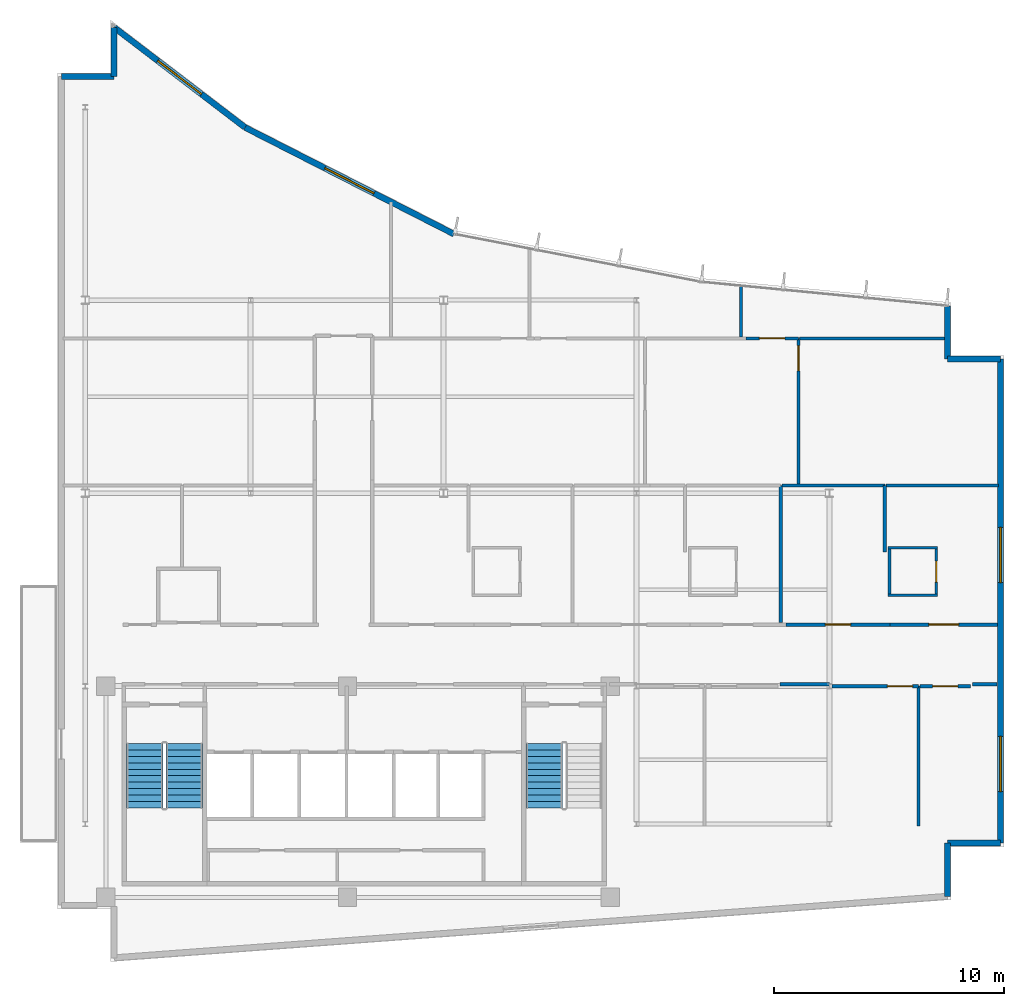
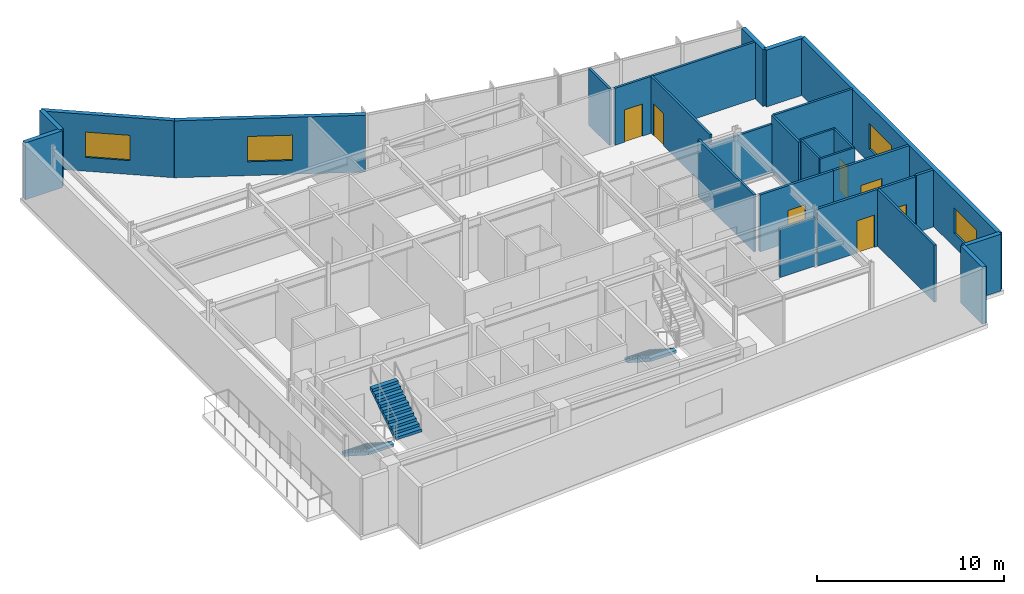
# One storey, part 12 of 16: 28 walls, 7 doors, 4 windows, 3 stair flights, 11 openings, 2 elements without a shape of their own.
"""IFC4 building model written with IfcOpenShell, lengths in metres."""

import ifcopenshell
import ifcopenshell.guid

model = None  # the IFC model being written
_history = None  # IfcOwnerHistory: only IFC2X3 demands one
_inside = {}  # id of a spatial element -> (the spatial element, [elements in it])
_under = {}  # id of a project, library or spatial element -> (it, [spatial elements below it])
_declared = {}  # id of a project -> (the project, [libraries it declares])
_typed = {}  # id of a type object -> (the type object, [elements of that type])
_made_of = {}  # id of a material, layer set ... -> (it, [elements and type objects made of it])


def new_model(schema):
    """Start an empty IFC model of exactly this schema.

    Asked for "IFC4X3", IfcOpenShell would pick the latest addendum, in which some entities
    have other attributes; the version numbers below select the first issue.
    IFC2X3 requires an IfcOwnerHistory on every rooted entity: one is made here for all.
    """
    global model, _history
    if schema == "IFC4X3":
        model = ifcopenshell.file(schema_version=(4, 3, 0, 0))
    else:
        model = ifcopenshell.file(schema=schema)
    _inside.clear()
    _under.clear()
    _declared.clear()
    _typed.clear()
    _made_of.clear()
    _history = None
    if model.schema == "IFC2X3":
        org = make("IfcOrganization", Name="unknown")
        user = make(
            "IfcPersonAndOrganization",
            ThePerson=make("IfcPerson", FamilyName="unknown"),
            TheOrganization=org,
        )
        app = make(
            "IfcApplication",
            ApplicationDeveloper=org,
            Version="unknown",
            ApplicationFullName="unknown",
            ApplicationIdentifier="unknown",
        )
        _history = make(
            "IfcOwnerHistory",
            OwningUser=user,
            OwningApplication=app,
            ChangeAction="ADDED",
            CreationDate=0,
        )
    return model


def make(cls, **values):
    """One entity of the class cls with the attributes given. An attribute that is None is left unset."""
    return model.create_entity(
        cls, **{name: value for name, value in values.items() if value is not None}
    )


def rooted(cls, **values):
    """An entity with a GlobalId (a new one), such as an element, a storey or a relation."""
    return make(cls, GlobalId=ifcopenshell.guid.new(), OwnerHistory=_history, **values)


def si_unit(unit_type, name, prefix=None):
    """IfcSIUnit, for example si_unit("LENGTHUNIT", "METRE", prefix="MILLI")."""
    return make("IfcSIUnit", UnitType=unit_type, Prefix=prefix, Name=name)


def assignment(units):
    """IfcUnitAssignment: the units of a project."""
    return None if units is None else make("IfcUnitAssignment", Units=units)


def point(xyz):
    """IfcCartesianPoint."""
    return None if xyz is None else make("IfcCartesianPoint", Coordinates=xyz)


def direction(xyz):
    """IfcDirection."""
    return None if xyz is None else make("IfcDirection", DirectionRatios=xyz)


def frame(location, z_axis=None, x_axis=None):
    """IfcAxis2Placement3D, a coordinate frame: its origin and axes. An axis left out is left unset."""
    return make(
        "IfcAxis2Placement3D",
        Location=point(location),
        Axis=direction(z_axis),
        RefDirection=direction(x_axis),
    )


def frame_2d(location, x_axis=None):
    """IfcAxis2Placement2D, a coordinate frame in the plane: its origin and x axis."""
    return make(
        "IfcAxis2Placement2D", Location=point(location), RefDirection=direction(x_axis)
    )


def origin():
    """The frame at (0, 0, 0) with its axes left unset."""
    return frame((0.0, 0.0, 0.0))


def place(relative_to, where):
    """IfcLocalPlacement: puts the frame where relative to a parent placement (None: the world)."""
    return make(
        "IfcLocalPlacement", PlacementRelTo=relative_to, RelativePlacement=where
    )


def context(
    kind, dimensions, precision=None, world=None, true_north=None, identifier=None
):
    """IfcGeometricRepresentationContext, for example the 3D "Model" context."""
    return make(
        "IfcGeometricRepresentationContext",
        ContextIdentifier=identifier,
        ContextType=kind,
        CoordinateSpaceDimension=dimensions,
        Precision=precision,
        WorldCoordinateSystem=world,
        TrueNorth=true_north,
    )


def subcontext(parent, identifier, kind, view, scale=None):
    """IfcGeometricRepresentationSubContext, for example "Body" below "Model"."""
    return make(
        "IfcGeometricRepresentationSubContext",
        ContextIdentifier=identifier,
        ContextType=kind,
        ParentContext=parent,
        TargetScale=scale,
        TargetView=view,
    )


def project(units=None, contexts=None):
    """IfcProject with its units and contexts."""
    return rooted(
        "IfcProject",
        Name="project",
        RepresentationContexts=contexts,
        UnitsInContext=assignment(units),
    )


def spatial(cls, under=None, at=None, **own):
    """A site, building, storey or space (cls), placed at a placement, below another one or the project."""
    s = rooted(cls, ObjectPlacement=at, **own)
    if under is not None:
        _under.setdefault(under.id(), (under, []))[1].append(s)
    return s


def polyline(points):
    """IfcPolyline through the points."""
    return make("IfcPolyline", Points=[point(p) for p in points])


def profile(cls, at=None, kind="AREA", **sizes):
    """A parametric profile (cls). Its sizes go by their IFC names, for example OverallWidth=200.0."""
    return make(cls, ProfileType=kind, Position=at, **sizes)


def rectangle(**sizes):
    """IfcRectangleProfileDef."""
    return profile("IfcRectangleProfileDef", **sizes)


def outline(outer, holes=None, kind="AREA"):
    """IfcArbitraryClosedProfileDef: a profile drawn as a closed curve; with holes, ...WithVoids."""
    if holes is None:
        return make("IfcArbitraryClosedProfileDef", ProfileType=kind, OuterCurve=outer)
    return make(
        "IfcArbitraryProfileDefWithVoids",
        ProfileType=kind,
        OuterCurve=outer,
        InnerCurves=holes,
    )


def extrude(swept, where, along, depth):
    """IfcExtrudedAreaSolid: the profile swept, set in the frame where, extruded along a direction by depth."""
    return make(
        "IfcExtrudedAreaSolid",
        SweptArea=swept,
        Position=where,
        ExtrudedDirection=direction(along),
        Depth=depth,
    )


def shape(context_of_items, identifier, shape_type, items):
    """IfcShapeRepresentation: the items that make up one representation, for example the "Body"."""
    return make(
        "IfcShapeRepresentation",
        ContextOfItems=context_of_items,
        RepresentationIdentifier=identifier,
        RepresentationType=shape_type,
        Items=items,
    )


def material(Name=None, Category=None):
    """IfcMaterial."""
    return make("IfcMaterial", Name=Name, Category=Category)


def layer(
    of_material, thickness, ventilated=None, Name=None, Category=None, Priority=None
):
    """IfcMaterialLayer: one layer of a wall or slab, of a material (None: an air gap)."""
    return make(
        "IfcMaterialLayer",
        Material=of_material,
        LayerThickness=thickness,
        IsVentilated=ventilated,
        Name=Name,
        Category=Category,
        Priority=Priority,
    )


def layer_set(layers, Name=None):
    """IfcMaterialLayerSet."""
    return make("IfcMaterialLayerSet", MaterialLayers=layers, LayerSetName=Name)


def made_of(thing, what):
    """Note that an element or type object is made of a material, layer set ...; save() writes the relation."""
    if what is not None:
        _made_of.setdefault(what.id(), (what, []))[1].append(thing)
    return thing


def type_object(cls, material=None, **own):
    """A type object (cls), such as IfcWallType, which elements share."""
    return made_of(rooted(cls, **own), material)


def element(
    cls,
    number,
    at=None,
    inside=None,
    cuts=None,
    type_object=None,
    material=None,
    context=None,
    identifier="Body",
    shape_type=None,
    held_by="IfcProductDefinitionShape",
    body=None,
    shapes=None,
    **own,
):
    """One element of the class cls, such as IfcWall. Its Tag is "e" and its number.

    at: its placement. inside: the storey or other place that contains it. cuts: it is an
    opening in that element (IfcRelVoidsElement). A single representation is given by context,
    identifier, shape_type and body (its items); several are given by shapes. held_by: the class
    of the entity that holds the representations. save() writes the other relations.
    """
    e = rooted(cls, Tag="e%d" % number, ObjectPlacement=at, **own)
    if body is not None:
        shapes = [shape(context, identifier, shape_type, body)]
    if shapes is not None:
        e.Representation = make(held_by, Representations=shapes)
    if inside is not None:
        _inside.setdefault(inside.id(), (inside, []))[1].append(e)
    if cuts is not None:
        rooted(
            "IfcRelVoidsElement", RelatingBuildingElement=cuts, RelatedOpeningElement=e
        )
    if type_object is not None:
        _typed.setdefault(type_object.id(), (type_object, []))[1].append(e)
    return made_of(e, material)


def fill(opening, filler):
    """IfcRelFillsElement: the door or window that sits in an opening."""
    return rooted(
        "IfcRelFillsElement",
        RelatingOpeningElement=opening,
        RelatedBuildingElement=filler,
    )


def aggregate(whole, parts):
    """IfcRelAggregates: a whole, such as a stair, and the parts it consists of."""
    return rooted("IfcRelAggregates", RelatingObject=whole, RelatedObjects=parts)


def save(model, path):
    """Write the relations noted so far, then the file.

    IfcRelAggregates (storeys below a building ...), IfcRelContainedInSpatialStructure (elements
    in a storey), IfcRelDefinesByType, IfcRelAssociatesMaterial and IfcRelDeclares: one each for
    every whole, place, type object, material and project.
    """
    for whole, parts in _under.values():
        aggregate(whole, parts)
    for where, things in _inside.values():
        rooted(
            "IfcRelContainedInSpatialStructure",
            RelatedElements=things,
            RelatingStructure=where,
        )
    for kind, things in _typed.values():
        rooted("IfcRelDefinesByType", RelatedObjects=things, RelatingType=kind)
    for what, things in _made_of.values():
        rooted("IfcRelAssociatesMaterial", RelatedObjects=things, RelatingMaterial=what)
    for by, libraries in _declared.values():
        rooted("IfcRelDeclares", RelatingContext=by, RelatedDefinitions=libraries)
    model.write(path)


model = new_model("IFC4")

# Units and contexts
model_context = context("Model", 3, precision=1e-05, world=origin(), true_north=direction((0.0, 1.0)))
body_context = subcontext(model_context, "Body", "Model", "MODEL_VIEW")
ifc_project = project(units=[si_unit("LENGTHUNIT", "METRE"), si_unit("AREAUNIT", "SQUARE_METRE"), si_unit("VOLUMEUNIT", "CUBIC_METRE"), si_unit("PLANEANGLEUNIT", "RADIAN"), si_unit("MASSUNIT", "GRAM", prefix="KILO")], contexts=[model_context])

# Site, building, storey
site_placement = place(None, origin())
site = spatial("IfcSite", under=ifc_project, at=site_placement, CompositionType="ELEMENT")
building_placement = place(site_placement, origin())
building = spatial("IfcBuilding", under=site, at=building_placement, Name="Varnakote Quay Hospital", CompositionType="ELEMENT")
storey_placement = place(building_placement, frame((0.0, 0.0, 280.25)))
storey = spatial("IfcBuildingStorey", under=building, at=storey_placement, Name="L69", CompositionType="ELEMENT", Elevation=280.25)

# Walls
ifc_material_1 = material(Name="Fire-rated acoustic gypsum stud wall", Category="gypsum")
ifc_layer_1 = layer(ifc_material_1, 0.159912109375)
ifc_layer_set_1 = layer_set([ifc_layer_1], Name="Fire-rated acoustic gypsum stud wall")
wall_type_1 = type_object("IfcWallType", Name="WL-COMP-160", PredefinedType="PARTITIONING", material=ifc_layer_set_1)
wall_1_placement = place(storey_placement, frame((31.439208984375, 12.080078125, 0.0), z_axis=(0.0, 0.0, 1.0), x_axis=(1.0, 0.0, 0.0)))
element("IfcWall", 1, at=wall_1_placement, inside=storey, type_object=wall_type_1, Name="L69 Corridor South Gap Wall", PredefinedType="PARTITIONING", context=body_context, shape_type="SweptSolid", body=[
    extrude(rectangle(XDim=2.174072265625, YDim=0.159912109375, at=frame_2d((1.0869140625, 0.0))), origin(), (0.0, 0.0, 1.0), 3.156982421875),
])
wall_2_placement = place(storey_placement, frame((39.83935546875, 12.080078125, 0.0), z_axis=(0.0, 0.0, 1.0), x_axis=(1.0, 0.0, 0.0)))
element("IfcWall", 2, at=wall_2_placement, inside=storey, type_object=wall_type_1, Name="L69 Corridor South Gap Wall", PredefinedType="PARTITIONING", context=body_context, shape_type="SweptSolid", body=[
    extrude(rectangle(XDim=1.060546875, YDim=0.159912109375, at=frame_2d((0.5302734375, 0.0))), origin(), (0.0, 0.0, 1.0), 3.7099609375),
])
ifc_material_2 = material(Name="Moisture-resistant bathroom partition", Category="gypsum")
ifc_layer_2 = layer(ifc_material_2, 0.114990234375)
ifc_layer_set_2 = layer_set([ifc_layer_2], Name="Moisture-resistant bathroom partition")
wall_type_2 = type_object("IfcWallType", Name="WL-ENS-115", PredefinedType="PARTITIONING", material=ifc_layer_set_2)
for number, where, z_axis, x_axis, name in (
    (3, (36.155029296875, 15.952392578125, 0.0), (0.0, 0.0, 1.0), (1.0, 0.0, 0.0), "L69 Inpatient En-Suite Bathroom 03 S Wall"),
    (4, (36.155029296875, 18.017578125, 0.0), (0.0, 0.0, 1.0), (1.0, 0.0, 0.0), "L69 Inpatient En-Suite Bathroom 03 N Wall"),
):
    element("IfcWall", number, at=place(storey_placement, frame(where, z_axis=z_axis, x_axis=x_axis)), inside=storey, type_object=wall_type_2, Name=name, PredefinedType="PARTITIONING", context=body_context, shape_type="SweptSolid", body=[
        extrude(rectangle(XDim=2.14990234375, YDim=0.114990234375, at=frame_2d((1.074951171875, 0.0))), origin(), (0.0, 0.0, 1.0), 3.7099609375),
    ])
wall_3_placement = place(storey_placement, frame((36.21240234375, 16.010009765625, 0.0), z_axis=(0.0, 0.0, 1.0), x_axis=(0.0, 1.0, 0.0)))
element("IfcWall", 5, at=wall_3_placement, inside=storey, type_object=wall_type_2, Name="L69 Inpatient En-Suite Bathroom 03 W Wall", PredefinedType="PARTITIONING", context=body_context, shape_type="SweptSolid", body=[
    extrude(rectangle(XDim=1.949951171875, YDim=0.114990234375, at=frame_2d((0.97509765625, 0.0))), origin(), (0.0, 0.0, 1.0), 3.7099609375),
])

# Wall, opening, door
wall_4_placement = place(storey_placement, frame((38.24755859375, 16.010009765625, 0.0), z_axis=(0.0, 0.0, 1.0), x_axis=(0.0, 1.0, 0.0)))
wall_4 = element("IfcWall", 6, at=wall_4_placement, inside=storey, type_object=wall_type_2, Name="L69 Inpatient En-Suite Bathroom 03 E Wall", PredefinedType="PARTITIONING", context=body_context, shape_type="SweptSolid", body=[
    extrude(rectangle(XDim=1.949951171875, YDim=0.114990234375, at=frame_2d((0.97509765625, 0.0))), origin(), (0.0, 0.0, 1.0), 3.7099609375),
])
opening_1_placement = place(wall_4_placement, frame((0.514892578125, 0.0, 0.0)))
opening_1 = element("IfcOpeningElement", 7, at=opening_1_placement, cuts=wall_4, Name="Opening D-L69-ENS03", PredefinedType="OPENING", context=body_context, shape_type="SweptSolid", body=[
    extrude(rectangle(XDim=0.919921875, YDim=2.10009765625, at=frame_2d((0.4599609375, 1.050048828125))), frame((0.0, 0.0673828125, 0.0), z_axis=(0.0, -1.0, 0.0), x_axis=(1.0, 0.0, 0.0)), (0.0, 0.0, 1.0), 0.135009765625),
])
ifc_material_3 = material(Name="Moisture-sealed en-suite bathroom door")
door_type_1 = type_object("IfcDoorType", Name="DR-ENS-920x2100", OperationType="NOTDEFINED", PredefinedType="DOOR", material=ifc_material_3)
door_1_placement = place(opening_1_placement, origin())
door_1 = element("IfcDoor", 8, at=door_1_placement, inside=storey, type_object=door_type_1, Name="L69 Inpatient En-Suite Bathroom 03 Door", OperationType="SINGLE_SWING_RIGHT", OverallHeight=2.10009765625, OverallWidth=0.919921875, PredefinedType="DOOR", context=body_context, shape_type="SweptSolid", body=[
    extrude(rectangle(XDim=0.919921875, YDim=2.10009765625, at=frame_2d((0.4599609375, 1.050048828125))), frame((0.0, 0.02490234375, 0.0), z_axis=(0.0, -1.0, 0.0), x_axis=(1.0, 0.0, 0.0)), (0.0, 0.0, 1.0), 0.050048828125),
])
fill(opening_1, door_1)

# Walls
ifc_material_4 = material(Name="Precast concrete N50 (f'c 50 MPa)", Category="concrete")
ifc_layer_3 = layer(ifc_material_4, 0.260009765625)
ifc_layer_set_3 = layer_set([ifc_layer_3], Name="Precast concrete N50 (f'c 50 MPa)")
wall_type_3 = type_object("IfcWallType", Name="WL-EXT-BRICK-260", PredefinedType="STANDARD", material=ifc_layer_set_3)
wall_5_placement = place(storey_placement, frame((38.739990234375, 2.8486328125, 0.0), z_axis=(0.0, 0.0, 1.0), x_axis=(0.0, 1.0, 0.0)))
element("IfcWall", 9, at=wall_5_placement, inside=storey, type_object=wall_type_3, Name="L69 Brick-Faced Precast Exterior Wall", PredefinedType="STANDARD", context=body_context, shape_type="SweptSolid", body=[
    extrude(rectangle(XDim=2.311279296875, YDim=0.260009765625, at=frame_2d((1.15576171875, 0.0))), origin(), (0.0, 0.0, 1.0), 3.7099609375),
])
wall_6_placement = place(storey_placement, frame((38.739990234375, 5.159912109375, 0.0), z_axis=(0.0, 0.0, 1.0), x_axis=(1.0, 0.0, 0.0)))
element("IfcWall", 10, at=wall_6_placement, inside=storey, type_object=wall_type_3, Name="L69 Brick-Faced Precast Exterior Wall", PredefinedType="STANDARD", context=body_context, shape_type="SweptSolid", body=[
    extrude(rectangle(XDim=2.300048828125, YDim=0.260009765625, at=frame_2d((1.14990234375, 0.0))), origin(), (0.0, 0.0, 1.0), 3.7099609375),
])

# Wall, openings, windows
wall_7_placement = place(storey_placement, frame((41.0400390625, 5.159912109375, 0.0), z_axis=(0.0, 0.0, 1.0), x_axis=(0.0, 1.0, 0.0)))
wall_7 = element("IfcWall", 11, at=wall_7_placement, inside=storey, type_object=wall_type_3, Name="L69 Brick-Faced Precast Exterior Wall", PredefinedType="STANDARD", context=body_context, shape_type="SweptSolid", body=[
    extrude(rectangle(XDim=21.080078125, YDim=0.260009765625, at=frame_2d((10.5400390625, 0.0))), origin(), (0.0, 0.0, 1.0), 3.7099609375),
])
opening_2_placement = place(wall_7_placement, frame((2.25, 0.0, 0.89990234375)))
opening_2 = element("IfcOpeningElement", 12, at=opening_2_placement, cuts=wall_7, Name="Opening WN-0279", PredefinedType="OPENING", context=body_context, shape_type="SweptSolid", body=[
    extrude(rectangle(XDim=2.39990234375, YDim=1.64990234375, at=frame_2d((1.199951171875, 0.824951171875))), frame((0.0, 0.139892578125, 0.0), z_axis=(0.0, -1.0, 0.0), x_axis=(1.0, 0.0, 0.0)), (0.0, 0.0, 1.0), 0.280029296875),
])
opening_3_placement = place(wall_7_placement, frame((11.35009765625, 0.0, 0.89990234375)))
opening_3 = element("IfcOpeningElement", 13, at=opening_3_placement, cuts=wall_7, Name="Opening WN-0313", PredefinedType="OPENING", context=body_context, shape_type="SweptSolid", body=[
    extrude(rectangle(XDim=2.39990234375, YDim=1.64990234375, at=frame_2d((1.199951171875, 0.824951171875))), frame((0.0, 0.139892578125, 0.0), z_axis=(0.0, -1.0, 0.0), x_axis=(1.0, 0.0, 0.0)), (0.0, 0.0, 1.0), 0.280029296875),
])
ifc_material_5 = material(Name="Double-glazed low-E solar glass", Category="glass")
window_type = type_object("IfcWindowType", Name="WIN-CLIN-2400x1650", PartitioningType="SINGLE_PANEL", PredefinedType="WINDOW", material=ifc_material_5)
window_1_placement = place(opening_2_placement, origin())
window_1 = element("IfcWindow", 14, at=window_1_placement, inside=storey, type_object=window_type, Name="L69 Solar-Control Clinical Window", OverallHeight=1.64990234375, OverallWidth=2.39990234375, PartitioningType="SINGLE_PANEL", PredefinedType="WINDOW", context=body_context, shape_type="SweptSolid", body=[
    extrude(rectangle(XDim=2.39990234375, YDim=1.64990234375, at=frame_2d((1.199951171875, 0.824951171875))), frame((0.0, 0.030029296875, 0.0), z_axis=(0.0, -1.0, 0.0), x_axis=(1.0, 0.0, 0.0)), (0.0, 0.0, 1.0), 0.06005859375),
])
fill(opening_2, window_1)
window_2_placement = place(opening_3_placement, origin())
window_2 = element("IfcWindow", 15, at=window_2_placement, inside=storey, type_object=window_type, Name="L69 Solar-Control Clinical Window", OverallHeight=1.64990234375, OverallWidth=2.39990234375, PartitioningType="SINGLE_PANEL", PredefinedType="WINDOW", context=body_context, shape_type="SweptSolid", body=[
    extrude(rectangle(XDim=2.39990234375, YDim=1.64990234375, at=frame_2d((1.199951171875, 0.824951171875))), frame((0.0, 0.030029296875, 0.0), z_axis=(0.0, -1.0, 0.0), x_axis=(1.0, 0.0, 0.0)), (0.0, 0.0, 1.0), 0.06005859375),
])
fill(opening_3, window_2)

# Walls
wall_8_placement = place(storey_placement, frame((41.0400390625, 26.239990234375, 0.0), z_axis=(0.0, 0.0, 1.0), x_axis=(-1.0, 0.0, 0.0)))
element("IfcWall", 16, at=wall_8_placement, inside=storey, type_object=wall_type_3, Name="L69 Brick-Faced Precast Exterior Wall", PredefinedType="STANDARD", context=body_context, shape_type="SweptSolid", body=[
    extrude(rectangle(XDim=2.300048828125, YDim=0.260009765625, at=frame_2d((1.14990234375, 0.0))), origin(), (0.0, 0.0, 1.0), 3.7099609375),
])
wall_9_placement = place(storey_placement, frame((38.739990234375, 26.239990234375, 0.0), z_axis=(0.0, 0.0, 1.0), x_axis=(0.0, 1.0, 0.0)))
element("IfcWall", 17, at=wall_9_placement, inside=storey, type_object=wall_type_3, Name="L69 Brick-Faced Precast Exterior Wall", PredefinedType="STANDARD", context=body_context, shape_type="SweptSolid", body=[
    extrude(rectangle(XDim=2.314697265625, YDim=0.260009765625, at=frame_2d((1.1572265625, 0.0))), origin(), (0.0, 0.0, 1.0), 3.7099609375),
])

# Wall, opening, window
wall_10_placement = place(storey_placement, frame((17.25146484375, 31.68115234375, 0.0), z_axis=(0.0, 0.0, 1.0), x_axis=(-0.89069629535, 0.454598844532, 0.0)))
wall_10 = element("IfcWall", 18, at=wall_10_placement, inside=storey, type_object=wall_type_3, Name="L69 Brick-Faced Precast Exterior Wall", PredefinedType="STANDARD", context=body_context, shape_type="SweptSolid", body=[
    extrude(rectangle(XDim=10.213623046875, YDim=0.260009765625, at=frame_2d((5.10693359375, 0.0))), origin(), (0.0, 0.0, 1.0), 3.7099609375),
])
opening_4_placement = place(wall_10_placement, frame((3.90673828125, 0.0, 0.89990234375)))
opening_4 = element("IfcOpeningElement", 19, at=opening_4_placement, cuts=wall_10, Name="Opening WN-0280", PredefinedType="OPENING", context=body_context, shape_type="SweptSolid", body=[
    extrude(rectangle(XDim=2.39990234375, YDim=1.64990234375, at=frame_2d((1.199951171875, 0.824951171875))), frame((0.0, 0.139892578125, 0.0), z_axis=(0.0, -1.0, 0.0), x_axis=(1.0, 0.0, 0.0)), (0.0, 0.0, 1.0), 0.280029296875),
])
window_3_placement = place(opening_4_placement, origin())
window_3 = element("IfcWindow", 20, at=window_3_placement, inside=storey, type_object=window_type, Name="L69 Solar-Control Clinical Window", OverallHeight=1.64990234375, OverallWidth=2.39990234375, PartitioningType="SINGLE_PANEL", PredefinedType="WINDOW", context=body_context, shape_type="SweptSolid", body=[
    extrude(rectangle(XDim=2.39990234375, YDim=1.64990234375, at=frame_2d((1.199951171875, 0.824951171875))), frame((0.0, 0.030029296875, 0.0), z_axis=(0.0, -1.0, 0.0), x_axis=(1.0, 0.0, 0.0)), (0.0, 0.0, 1.0), 0.06005859375),
])
fill(opening_4, window_3)

wall_11_placement = place(storey_placement, frame((8.154296875, 36.32421875, 0.0), z_axis=(0.0, 0.0, 1.0), x_axis=(-0.794522176632, 0.607235136368, 0.0)))
wall_11 = element("IfcWall", 21, at=wall_11_placement, inside=storey, type_object=wall_type_3, Name="L69 Brick-Faced Precast Exterior Wall", PredefinedType="STANDARD", context=body_context, shape_type="SweptSolid", body=[
    extrude(rectangle(XDim=7.1669921875, YDim=0.260009765625, at=frame_2d((3.58349609375, 0.0))), origin(), (0.0, 0.0, 1.0), 3.7099609375),
])
opening_5_placement = place(wall_11_placement, frame((2.383544921875, 0.0, 0.89990234375)))
opening_5 = element("IfcOpeningElement", 22, at=opening_5_placement, cuts=wall_11, Name="Opening WN-0281", PredefinedType="OPENING", context=body_context, shape_type="SweptSolid", body=[
    extrude(rectangle(XDim=2.39990234375, YDim=1.64990234375, at=frame_2d((1.199951171875, 0.824951171875))), frame((0.0, 0.139892578125, 0.0), z_axis=(0.0, -1.0, 0.0), x_axis=(1.0, 0.0, 0.0)), (0.0, 0.0, 1.0), 0.280029296875),
])
window_4_placement = place(opening_5_placement, origin())
window_4 = element("IfcWindow", 23, at=window_4_placement, inside=storey, type_object=window_type, Name="L69 Solar-Control Clinical Window", OverallHeight=1.64990234375, OverallWidth=2.39990234375, PartitioningType="SINGLE_PANEL", PredefinedType="WINDOW", context=body_context, shape_type="SweptSolid", body=[
    extrude(rectangle(XDim=2.39990234375, YDim=1.64990234375, at=frame_2d((1.199951171875, 0.824951171875))), frame((0.0, 0.030029296875, 0.0), z_axis=(0.0, -1.0, 0.0), x_axis=(1.0, 0.0, 0.0)), (0.0, 0.0, 1.0), 0.06005859375),
])
fill(opening_5, window_4)

# Walls
wall_12_placement = place(storey_placement, frame((2.4599609375, 40.67626953125, 0.0), z_axis=(0.0, 0.0, 1.0), x_axis=(0.0, -1.0, 0.0)))
element("IfcWall", 24, at=wall_12_placement, inside=storey, type_object=wall_type_3, Name="L69 Brick-Faced Precast Exterior Wall", PredefinedType="STANDARD", context=body_context, shape_type="SweptSolid", body=[
    extrude(rectangle(XDim=2.13623046875, YDim=0.260009765625, at=frame_2d((1.068115234375, 0.0))), origin(), (0.0, 0.0, 1.0), 3.7099609375),
])
wall_13_placement = place(storey_placement, frame((2.4599609375, 38.5400390625, 0.0), z_axis=(0.0, 0.0, 1.0), x_axis=(-1.0, 0.0, 0.0)))
element("IfcWall", 25, at=wall_13_placement, inside=storey, type_object=wall_type_3, Name="L69 Brick-Faced Precast Exterior Wall", PredefinedType="STANDARD", context=body_context, shape_type="SweptSolid", body=[
    extrude(rectangle(XDim=2.300048828125, YDim=0.260009765625, at=frame_2d((1.14990234375, 0.0))), origin(), (0.0, 0.0, 1.0), 3.7099609375),
])
ifc_material_6 = material(Name="Smoke-proof clinical partition", Category="gypsum")
ifc_layer_4 = layer(ifc_material_6, 0.135009765625)
ifc_layer_set_4 = layer_set([ifc_layer_4], Name="Smoke-proof clinical partition")
wall_type_4 = type_object("IfcWallType", Name="WL-SMOKE-135", PredefinedType="PARTITIONING", material=ifc_layer_set_4)
wall_14_placement = place(storey_placement, frame((37.47998046875, 5.89990234375, 0.0), z_axis=(0.0, 0.0, 1.0), x_axis=(0.0, 1.0, 0.0)))
element("IfcWall", 26, at=wall_14_placement, inside=storey, type_object=wall_type_4, Name="L69 Clinical Interior Partition", PredefinedType="PARTITIONING", context=body_context, shape_type="SweptSolid", body=[
    extrude(rectangle(XDim=6.10009765625, YDim=0.135009765625, at=frame_2d((3.050048828125, 0.0))), origin(), (0.0, 0.0, 1.0), 3.7099609375),
])
wall_15_placement = place(storey_placement, frame((31.47998046875, 14.760009765625, 0.0), z_axis=(0.0, 0.0, 1.0), x_axis=(0.0, 1.0, 0.0)))
element("IfcWall", 27, at=wall_15_placement, inside=storey, type_object=wall_type_4, Name="L69 Clinical Interior Partition", PredefinedType="PARTITIONING", context=body_context, shape_type="SweptSolid", body=[
    extrude(rectangle(XDim=5.97998046875, YDim=0.135009765625, at=frame_2d((2.989990234375, 0.0))), origin(), (0.0, 0.0, 1.0), 3.7099609375),
])
wall_16_placement = place(storey_placement, frame((36.010009765625, 17.83251953125, 0.0), z_axis=(0.0, 0.0, 1.0), x_axis=(0.0, 1.0, 0.0)))
element("IfcWall", 28, at=wall_16_placement, inside=storey, type_object=wall_type_4, Name="L69 Clinical Interior Partition", PredefinedType="PARTITIONING", context=body_context, shape_type="SweptSolid", body=[
    extrude(rectangle(XDim=2.907470703125, YDim=0.135009765625, at=frame_2d((1.45361328125, 0.0))), origin(), (0.0, 0.0, 1.0), 3.7099609375),
])
wall_17_placement = place(storey_placement, frame((36.010009765625, 20.739990234375, 0.0), z_axis=(0.0, 0.0, 1.0), x_axis=(-1.0, 0.0, 0.0)))
element("IfcWall", 29, at=wall_17_placement, inside=storey, type_object=wall_type_4, Name="L69 Clinical Interior Partition", PredefinedType="PARTITIONING", context=body_context, shape_type="SweptSolid", body=[
    extrude(rectangle(XDim=4.472412109375, YDim=0.135009765625, at=frame_2d((2.236328125, 0.0))), origin(), (0.0, 0.0, 1.0), 3.156982421875),
])
wall_18_placement = place(storey_placement, frame((40.9599609375, 20.739990234375, 0.0), z_axis=(0.0, 0.0, 1.0), x_axis=(-1.0, 0.0, 0.0)))
element("IfcWall", 30, at=wall_18_placement, inside=storey, type_object=wall_type_4, Name="L69 Clinical Interior Partition", PredefinedType="PARTITIONING", context=body_context, shape_type="SweptSolid", body=[
    extrude(rectangle(XDim=4.892578125, YDim=0.135009765625, at=frame_2d((2.4462890625, 0.0))), origin(), (0.0, 0.0, 1.0), 3.7099609375),
])

# Wall, opening, door
wall_19_placement = place(storey_placement, frame((32.25, 20.797607421875, 0.0), z_axis=(0.0, 0.0, 1.0), x_axis=(0.0, 1.0, 0.0)))
wall_19 = element("IfcWall", 31, at=wall_19_placement, inside=storey, type_object=wall_type_4, Name="L69 Clinical Interior Partition", PredefinedType="PARTITIONING", context=body_context, shape_type="SweptSolid", body=[
    extrude(rectangle(XDim=6.34228515625, YDim=0.135009765625, at=frame_2d((3.171142578125, 0.0))), origin(), (0.0, 0.0, 1.0), 3.7099609375),
])
opening_6_placement = place(wall_19_placement, frame((4.92138671875, 0.0, 0.0)))
opening_6 = element("IfcOpeningElement", 32, at=opening_6_placement, cuts=wall_19, Name="Opening D-L69-MD08", PredefinedType="OPENING", context=body_context, shape_type="SweptSolid", body=[
    extrude(rectangle(XDim=1.10009765625, YDim=2.10009765625, at=frame_2d((0.550048828125, 1.050048828125))), frame((0.0, 0.077392578125, 0.0), z_axis=(0.0, -1.0, 0.0), x_axis=(1.0, 0.0, 0.0)), (0.0, 0.0, 1.0), 0.155029296875),
])
ifc_material_7 = material(Name="Acoustic timber clinical consult door", Category="wood")
door_type_2 = type_object("IfcDoorType", Name="DR-CLIN-FD30S-1100x2100", OperationType="NOTDEFINED", PredefinedType="DOOR", material=ifc_material_7)
door_2_placement = place(opening_6_placement, origin())
door_2 = element("IfcDoor", 33, at=door_2_placement, inside=storey, type_object=door_type_2, Name="L69 Rehab Specialist Office Door", OperationType="SINGLE_SWING_LEFT", OverallHeight=2.10009765625, OverallWidth=1.10009765625, PredefinedType="DOOR", context=body_context, shape_type="SweptSolid", body=[
    extrude(rectangle(XDim=1.10009765625, YDim=2.10009765625, at=frame_2d((0.550048828125, 1.050048828125))), frame((0.0, 0.02490234375, 0.0), z_axis=(0.0, -1.0, 0.0), x_axis=(1.0, 0.0, 0.0)), (0.0, 0.0, 1.0), 0.050048828125),
])
fill(opening_6, door_2)

wall_20_placement = place(storey_placement, frame((32.25, 27.139892578125, 0.0), z_axis=(0.0, 0.0, 1.0), x_axis=(-1.0, 0.0, 0.0)))
wall_20 = element("IfcWall", 34, at=wall_20_placement, inside=storey, type_object=wall_type_4, Name="L69 Clinical Interior Partition", PredefinedType="PARTITIONING", context=body_context, shape_type="SweptSolid", body=[
    extrude(rectangle(XDim=2.29052734375, YDim=0.135009765625, at=frame_2d((1.145263671875, 0.0))), origin(), (0.0, 0.0, 1.0), 3.7099609375),
])
opening_7_placement = place(wall_20_placement, frame((0.59521484375, 0.0, 0.0)))
opening_7 = element("IfcOpeningElement", 35, at=opening_7_placement, cuts=wall_20, Name="Opening D-L69-MD12", PredefinedType="OPENING", context=body_context, shape_type="SweptSolid", body=[
    extrude(rectangle(XDim=1.10009765625, YDim=2.10009765625, at=frame_2d((0.550048828125, 1.050048828125))), frame((0.0, 0.077392578125, 0.0), z_axis=(0.0, -1.0, 0.0), x_axis=(1.0, 0.0, 0.0)), (0.0, 0.0, 1.0), 0.155029296875),
])
door_3_placement = place(opening_7_placement, origin())
door_3 = element("IfcDoor", 36, at=door_3_placement, inside=storey, type_object=door_type_2, Name="L69 Rehab Specialist Office Door", OperationType="SINGLE_SWING_RIGHT", OverallHeight=2.10009765625, OverallWidth=1.10009765625, PredefinedType="DOOR", context=body_context, shape_type="SweptSolid", body=[
    extrude(rectangle(XDim=1.10009765625, YDim=2.10009765625, at=frame_2d((0.550048828125, 1.050048828125))), frame((0.0, 0.02490234375, 0.0), z_axis=(0.0, -1.0, 0.0), x_axis=(1.0, 0.0, 0.0)), (0.0, 0.0, 1.0), 0.050048828125),
])
fill(opening_7, door_3)

# Walls
wall_21_placement = place(storey_placement, frame((38.739990234375, 27.139892578125, 0.0), z_axis=(0.0, 0.0, 1.0), x_axis=(-1.0, 0.0, 0.0)))
element("IfcWall", 37, at=wall_21_placement, inside=storey, type_object=wall_type_4, Name="L69 Clinical Interior Partition", PredefinedType="PARTITIONING", context=body_context, shape_type="SweptSolid", body=[
    extrude(rectangle(XDim=6.432373046875, YDim=0.135009765625, at=frame_2d((3.21630859375, 0.0))), origin(), (0.0, 0.0, 1.0), 3.7099609375),
])
wall_22_placement = place(storey_placement, frame((29.75, 27.197509765625, 0.0), z_axis=(0.0, 0.0, 1.0), x_axis=(0.0, 1.0, 0.0)))
element("IfcWall", 38, at=wall_22_placement, inside=storey, type_object=wall_type_4, Name="L69 Clinical Interior Partition", PredefinedType="PARTITIONING", context=body_context, shape_type="SweptSolid", body=[
    extrude(rectangle(XDim=2.2294921875, YDim=0.135009765625, at=frame_2d((1.11474609375, 0.0))), origin(), (0.0, 0.0, 1.0), 3.7099609375),
])

# Wall, opening, door
ifc_material_8 = material(Name="Fire-rated clinical gypsum partition", Category="gypsum")
ifc_layer_5 = layer(ifc_material_8, 0.14990234375)
ifc_layer_set_5 = layer_set([ifc_layer_5], Name="Fire-rated clinical gypsum partition")
wall_type_5 = type_object("IfcWallType", Name="WL-WARD-150", PredefinedType="PARTITIONING", material=ifc_layer_set_5)
wall_23_placement = place(storey_placement, frame((37.47998046875, 12.0, 0.0), z_axis=(0.0, 0.0, 1.0), x_axis=(-1.0, 0.0, 0.0)))
wall_23 = element("IfcWall", 39, at=wall_23_placement, inside=storey, type_object=wall_type_5, Name="L69 Clinical Interior Partition", PredefinedType="PARTITIONING", context=body_context, shape_type="SweptSolid", body=[
    extrude(rectangle(XDim=3.777587890625, YDim=0.14990234375, at=frame_2d((1.888671875, 0.0))), origin(), (0.0, 0.0, 1.0), 3.7099609375),
])
opening_8_placement = place(wall_23_placement, frame((0.2568359375, 0.0, 0.0)))
opening_8 = element("IfcOpeningElement", 40, at=opening_8_placement, cuts=wall_23, Name="Opening D-L69-RM1", PredefinedType="OPENING", context=body_context, shape_type="SweptSolid", body=[
    extrude(rectangle(XDim=1.10009765625, YDim=2.10009765625, at=frame_2d((0.550048828125, 1.050048828125))), frame((0.0, 0.0849609375, 0.0), z_axis=(0.0, -1.0, 0.0), x_axis=(1.0, 0.0, 0.0)), (0.0, 0.0, 1.0), 0.169921875),
])
door_4_placement = place(opening_8_placement, origin())
door_4 = element("IfcDoor", 41, at=door_4_placement, inside=storey, type_object=door_type_2, Name="L69 Cardiac Telemetry Treatment Suite Door", OperationType="SINGLE_SWING_LEFT", OverallHeight=2.10009765625, OverallWidth=1.10009765625, PredefinedType="DOOR", context=body_context, shape_type="SweptSolid", body=[
    extrude(rectangle(XDim=1.10009765625, YDim=2.10009765625, at=frame_2d((0.550048828125, 1.050048828125))), frame((0.0, 0.02490234375, 0.0), z_axis=(0.0, -1.0, 0.0), x_axis=(1.0, 0.0, 0.0)), (0.0, 0.0, 1.0), 0.050048828125),
])
fill(opening_8, door_4)

wall_24_placement = place(storey_placement, frame((39.75, 12.0, 0.0), z_axis=(0.0, 0.0, 1.0), x_axis=(-1.0, 0.0, 0.0)))
wall_24 = element("IfcWall", 42, at=wall_24_placement, inside=storey, type_object=wall_type_5, Name="L69 Clinical Interior Partition", PredefinedType="PARTITIONING", context=body_context, shape_type="SweptSolid", body=[
    extrude(rectangle(XDim=2.21240234375, YDim=0.14990234375, at=frame_2d((1.106201171875, 0.0))), origin(), (0.0, 0.0, 1.0), 3.7099609375),
])
opening_9_placement = place(wall_24_placement, frame((0.55615234375, 0.0, 0.0)))
opening_9 = element("IfcOpeningElement", 43, at=opening_9_placement, cuts=wall_24, Name="Opening D-L69-RM2", PredefinedType="OPENING", context=body_context, shape_type="SweptSolid", body=[
    extrude(rectangle(XDim=1.10009765625, YDim=2.10009765625, at=frame_2d((0.550048828125, 1.050048828125))), frame((0.0, 0.0849609375, 0.0), z_axis=(0.0, -1.0, 0.0), x_axis=(1.0, 0.0, 0.0)), (0.0, 0.0, 1.0), 0.169921875),
])
door_5_placement = place(opening_9_placement, origin())
door_5 = element("IfcDoor", 44, at=door_5_placement, inside=storey, type_object=door_type_2, Name="L69 Vascular Diagnostics Office Door", OperationType="SINGLE_SWING_RIGHT", OverallHeight=2.10009765625, OverallWidth=1.10009765625, PredefinedType="DOOR", context=body_context, shape_type="SweptSolid", body=[
    extrude(rectangle(XDim=1.10009765625, YDim=2.10009765625, at=frame_2d((0.550048828125, 1.050048828125))), frame((0.0, 0.02490234375, 0.0), z_axis=(0.0, -1.0, 0.0), x_axis=(1.0, 0.0, 0.0)), (0.0, 0.0, 1.0), 0.050048828125),
])
fill(opening_9, door_5)

wall_25_placement = place(storey_placement, frame((36.236083984375, 14.679931640625, 0.0), z_axis=(0.0, 0.0, 1.0), x_axis=(-1.0, 0.0, 0.0)))
wall_25 = element("IfcWall", 45, at=wall_25_placement, inside=storey, type_object=wall_type_5, Name="L69 Clinical Interior Partition", PredefinedType="PARTITIONING", context=body_context, shape_type="SweptSolid", body=[
    extrude(rectangle(XDim=4.528076171875, YDim=0.14990234375, at=frame_2d((2.26416015625, 0.0))), origin(), (0.0, 0.0, 1.0), 3.7099609375),
])
opening_10_placement = place(wall_25_placement, frame((1.714111328125, 0.0, 0.0)))
opening_10 = element("IfcOpeningElement", 46, at=opening_10_placement, cuts=wall_25, Name="Opening D-L69-MD05", PredefinedType="OPENING", context=body_context, shape_type="SweptSolid", body=[
    extrude(rectangle(XDim=1.10009765625, YDim=2.10009765625, at=frame_2d((0.550048828125, 1.050048828125))), frame((0.0, 0.0849609375, 0.0), z_axis=(0.0, -1.0, 0.0), x_axis=(1.0, 0.0, 0.0)), (0.0, 0.0, 1.0), 0.169921875),
])
door_6_placement = place(opening_10_placement, origin())
door_6 = element("IfcDoor", 47, at=door_6_placement, inside=storey, type_object=door_type_2, Name="L69 Restorative Hydro-Rehab Treatment Suite Door", OperationType="SINGLE_SWING_LEFT", OverallHeight=2.10009765625, OverallWidth=1.10009765625, PredefinedType="DOOR", context=body_context, shape_type="SweptSolid", body=[
    extrude(rectangle(XDim=1.10009765625, YDim=2.10009765625, at=frame_2d((0.550048828125, 1.050048828125))), frame((0.0, 0.02490234375, 0.0), z_axis=(0.0, -1.0, 0.0), x_axis=(1.0, 0.0, 0.0)), (0.0, 0.0, 1.0), 0.050048828125),
])
fill(opening_10, door_6)

wall_26_placement = place(storey_placement, frame((40.919921875, 14.679931640625, 0.0), z_axis=(0.0, 0.0, 1.0), x_axis=(-1.0, 0.0, 0.0)))
wall_26 = element("IfcWall", 48, at=wall_26_placement, inside=storey, type_object=wall_type_5, Name="L69 Clinical Interior Partition", PredefinedType="PARTITIONING", context=body_context, shape_type="SweptSolid", body=[
    extrude(rectangle(XDim=4.681884765625, YDim=0.14990234375, at=frame_2d((2.3408203125, 0.0))), origin(), (0.0, 0.0, 1.0), 3.7099609375),
])
opening_11_placement = place(wall_26_placement, frame((1.69091796875, 0.0, 0.0)))
opening_11 = element("IfcOpeningElement", 49, at=opening_11_placement, cuts=wall_26, Name="Opening D-L69-BR03", PredefinedType="OPENING", context=body_context, shape_type="SweptSolid", body=[
    extrude(rectangle(XDim=1.300048828125, YDim=2.14990234375, at=frame_2d((0.64990234375, 1.074951171875))), frame((0.0, 0.0849609375, 0.0), z_axis=(0.0, -1.0, 0.0), x_axis=(1.0, 0.0, 0.0)), (0.0, 0.0, 1.0), 0.169921875),
])
ifc_material_9 = material(Name="Solid-core timber clinical bed door", Category="wood")
door_type_3 = type_object("IfcDoorType", Name="DR-WARD-FD30S-1300x2150", OperationType="NOTDEFINED", PredefinedType="DOOR", material=ifc_material_9)
door_7_placement = place(opening_11_placement, origin())
door_7 = element("IfcDoor", 50, at=door_7_placement, inside=storey, type_object=door_type_3, Name="L69 Resident Care Bedroom 03 Door", OperationType="SINGLE_SWING_RIGHT", OverallHeight=2.14990234375, OverallWidth=1.300048828125, PredefinedType="DOOR", context=body_context, shape_type="SweptSolid", body=[
    extrude(rectangle(XDim=1.300048828125, YDim=2.14990234375, at=frame_2d((0.64990234375, 1.074951171875))), frame((0.0, 0.02490234375, 0.0), z_axis=(0.0, -1.0, 0.0), x_axis=(1.0, 0.0, 0.0)), (0.0, 0.0, 1.0), 0.050048828125),
])
fill(opening_11, door_7)

# Stair, stair flights
ifc_material_10 = material(Name="Concrete N40 (f'c 40 MPa)", Category="concrete")
stair_type = type_object("IfcStairType", Name="STR-CORE-1580", PredefinedType="HALF_TURN_STAIR", material=ifc_material_10)
stair_1_placement = place(storey_placement, origin())
stair_1 = element("IfcStair", 51, at=stair_1_placement, inside=storey, type_object=stair_type, Name="L69 Fire-Isolated Exit Stair ST-01", PredefinedType="HALF_TURN_STAIR")
ifc_material_11 = material(Name="Concrete N40 (f'c 40 MPa)", Category="concrete")
ifc_layer_6 = layer(ifc_material_11, 0.159912109375)
ifc_layer_set_6 = layer_set([ifc_layer_6], Name="Concrete N40 (f'c 40 MPa)")
stair_flight_type = type_object("IfcStairFlightType", Name="FLT-CORE-1580", PredefinedType="STRAIGHT", material=ifc_layer_set_6)
stair_flight_1_placement = place(storey_placement, frame((3.7900390625, 9.5, 0.0), z_axis=(0.0, 0.0, 1.0), x_axis=(0.0, -1.0, 0.0)))
stair_flight_1 = element("IfcStairFlight", 52, at=stair_flight_1_placement, type_object=stair_flight_type, Name="ST-01 flight 1", NumberOfRisers=11, NumberOfTreads=10, PredefinedType="STRAIGHT", RiserHeight=0.179545455, TreadLength=0.28, context=body_context, shape_type="SweptSolid", body=[
    extrude(outline(polyline([(0.0, 0.0), (0.0, 0.179443359375), (0.280029296875, 0.179443359375), (0.280029296875, 0.359130859375), (0.56005859375, 0.359130859375), (0.56005859375, 0.53857421875), (0.840087890625, 0.53857421875), (0.840087890625, 0.71826171875), (1.1201171875, 0.71826171875), (1.1201171875, 0.897705078125), (1.39990234375, 0.897705078125), (1.39990234375, 1.077392578125), (1.679931640625, 1.077392578125), (1.679931640625, 1.2568359375), (1.9599609375, 1.2568359375), (1.9599609375, 1.436279296875), (2.239990234375, 1.436279296875), (2.239990234375, 1.615966796875), (2.52001953125, 1.615966796875), (2.52001953125, 1.79541015625), (2.800048828125, 1.79541015625), (2.800048828125, 1.97509765625), (2.800048828125, 1.60546875), (0.296142578125, 0.0), (0.0, 0.0)])), frame((0.0, 0.7900390625, 0.0), z_axis=(0.0, -1.0, 0.0), x_axis=(1.0, 0.0, 0.0)), (0.0, 0.0, 1.0), 1.580078125),
])
stair_flight_2_placement = place(storey_placement, frame((5.510009765625, 6.699951171875, 1.97509765625), z_axis=(0.0, 0.0, 1.0), x_axis=(0.0, 1.0, 0.0)))
stair_flight_2 = element("IfcStairFlight", 53, at=stair_flight_2_placement, type_object=stair_flight_type, Name="ST-01 flight 2", NumberOfRisers=11, NumberOfTreads=10, PredefinedType="STRAIGHT", RiserHeight=0.179545455, TreadLength=0.28, context=body_context, shape_type="SweptSolid", body=[
    extrude(outline(polyline([(0.0, 0.0), (0.0, 0.179443359375), (0.280029296875, 0.179443359375), (0.280029296875, 0.359130859375), (0.56005859375, 0.359130859375), (0.56005859375, 0.53857421875), (0.840087890625, 0.53857421875), (0.840087890625, 0.71826171875), (1.1201171875, 0.71826171875), (1.1201171875, 0.897705078125), (1.39990234375, 0.897705078125), (1.39990234375, 1.077392578125), (1.679931640625, 1.077392578125), (1.679931640625, 1.2568359375), (1.9599609375, 1.2568359375), (1.9599609375, 1.436279296875), (2.239990234375, 1.436279296875), (2.239990234375, 1.615966796875), (2.52001953125, 1.615966796875), (2.52001953125, 1.79541015625), (2.800048828125, 1.79541015625), (2.800048828125, 1.97509765625), (2.800048828125, 1.60546875), (0.296142578125, 0.0), (0.0, 0.0)])), frame((0.0, 0.7900390625, 0.0), z_axis=(0.0, -1.0, 0.0), x_axis=(1.0, 0.0, 0.0)), (0.0, 0.0, 1.0), 1.580078125),
])
aggregate(stair_1, [stair_flight_1, stair_flight_2])

# Stair, stair flight
stair_2_placement = place(storey_placement, origin())
stair_2 = element("IfcStair", 54, at=stair_2_placement, inside=storey, type_object=stair_type, Name="L69 Fire-Isolated Exit Stair ST-02", PredefinedType="HALF_TURN_STAIR")
stair_flight_3_placement = place(storey_placement, frame((21.18994140625, 9.5, 0.0), z_axis=(0.0, 0.0, 1.0), x_axis=(0.0, -1.0, 0.0)))
stair_flight_3 = element("IfcStairFlight", 55, at=stair_flight_3_placement, type_object=stair_flight_type, Name="ST-02 flight 1", NumberOfRisers=11, NumberOfTreads=10, PredefinedType="STRAIGHT", RiserHeight=0.179545455, TreadLength=0.28, context=body_context, shape_type="SweptSolid", body=[
    extrude(outline(polyline([(0.0, 0.0), (0.0, 0.179443359375), (0.280029296875, 0.179443359375), (0.280029296875, 0.359130859375), (0.56005859375, 0.359130859375), (0.56005859375, 0.53857421875), (0.840087890625, 0.53857421875), (0.840087890625, 0.71826171875), (1.1201171875, 0.71826171875), (1.1201171875, 0.897705078125), (1.39990234375, 0.897705078125), (1.39990234375, 1.077392578125), (1.679931640625, 1.077392578125), (1.679931640625, 1.2568359375), (1.9599609375, 1.2568359375), (1.9599609375, 1.436279296875), (2.239990234375, 1.436279296875), (2.239990234375, 1.615966796875), (2.52001953125, 1.615966796875), (2.52001953125, 1.79541015625), (2.800048828125, 1.79541015625), (2.800048828125, 1.97509765625), (2.800048828125, 1.60546875), (0.296142578125, 0.0), (0.0, 0.0)])), frame((0.0, 0.7900390625, 0.0), z_axis=(0.0, -1.0, 0.0), x_axis=(1.0, 0.0, 0.0)), (0.0, 0.0, 1.0), 1.580078125),
])
aggregate(stair_2, [stair_flight_3])

save(model, "model.ifc")
